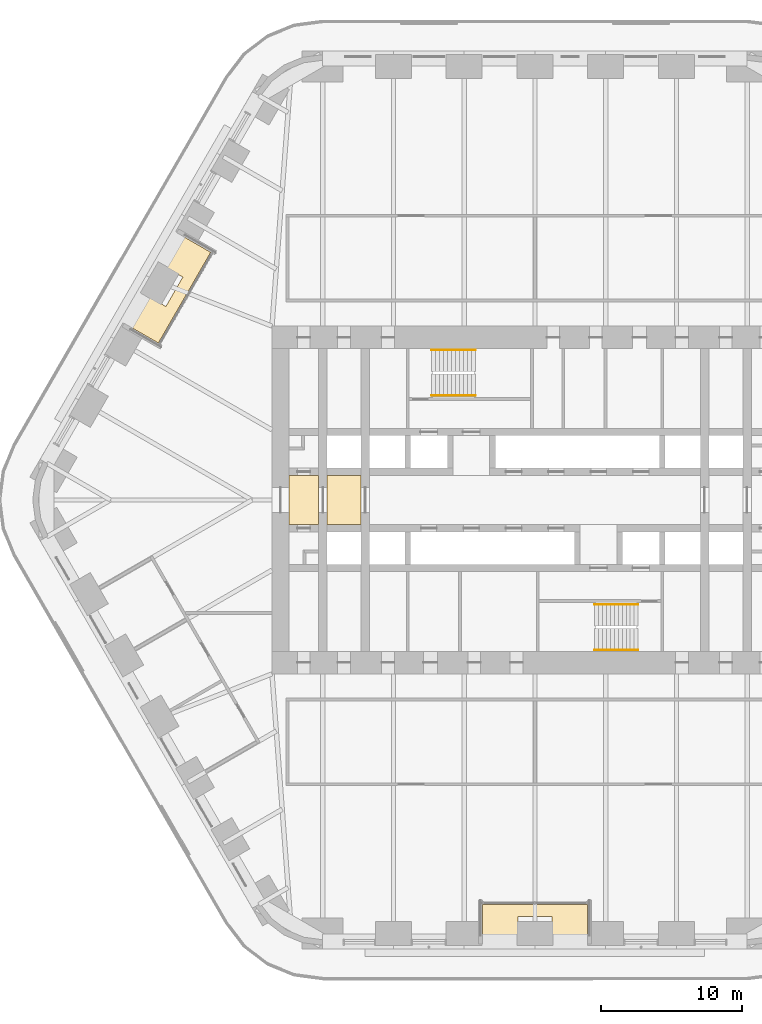
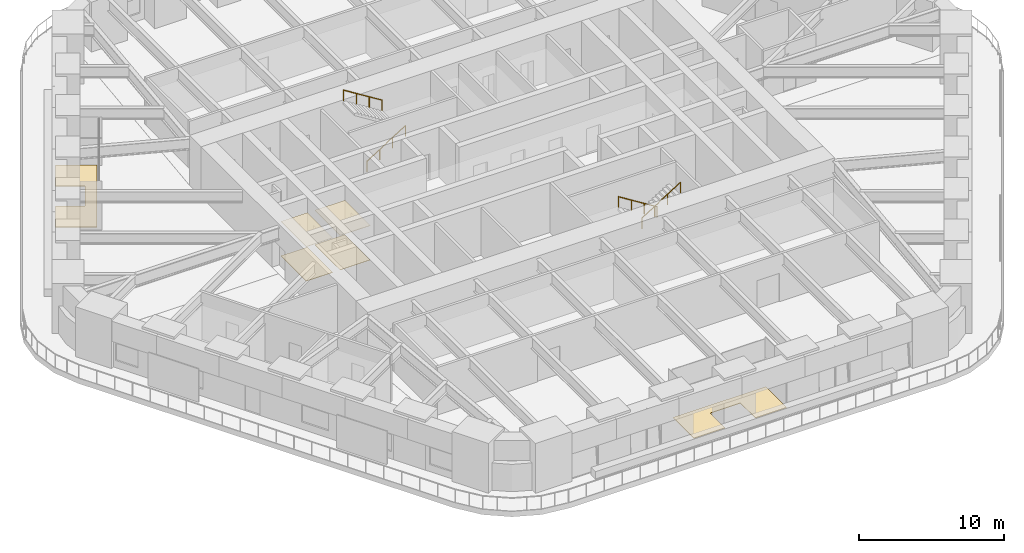
# One storey, part 22 of 24: 6 coverings, 4 railings.
"""IFC4 building model written with IfcOpenShell, lengths in metres."""

from ifc_helpers import new_model, si_unit, direction, frame, origin, origin_2d, place, context, subcontext, project, spatial, polyline, circle, outline, extrude, material, layer, layer_set, type_object, element, save


model = new_model("IFC4")

# Units and contexts
model_context = context("Model", 3, precision=1e-05, world=origin(), true_north=direction((0.0, 1.0)))
body_context = subcontext(model_context, "Body", "Model", "MODEL_VIEW")
ifc_project = project(units=[si_unit("LENGTHUNIT", "METRE"), si_unit("AREAUNIT", "SQUARE_METRE"), si_unit("VOLUMEUNIT", "CUBIC_METRE"), si_unit("PLANEANGLEUNIT", "RADIAN"), si_unit("MASSUNIT", "GRAM", prefix="KILO")], contexts=[model_context])

# Site, building, storey
site_placement = place(None, origin())
site = spatial("IfcSite", under=ifc_project, at=site_placement, CompositionType="ELEMENT")
building_placement = place(site_placement, origin())
building = spatial("IfcBuilding", under=site, at=building_placement, Name="Tarfa Lantern Tower", CompositionType="ELEMENT")
storey_placement = place(building_placement, frame((0.0, 0.0, 119.5)))
storey = spatial("IfcBuildingStorey", under=building, at=storey_placement, Name="L26", CompositionType="ELEMENT", Elevation=119.5)

# Coverings
ifc_material_1 = material(Name="Powder-coated aluminium panel", Category="aluminium")
ifc_layer_1 = layer(ifc_material_1, 0.030029296875)
ifc_layer_set_1 = layer_set([ifc_layer_1], Name="CL3 METAL PANEL CEILING 30")
covering_type_1 = type_object("IfcCoveringType", Name="CL3 METAL PANEL CEILING 30", PredefinedType="CEILING", material=ifc_layer_set_1)
covering_1_placement = place(storey_placement, frame((0.0, 0.0, 2.89990234375)))
element("IfcCovering", 1, at=covering_1_placement, inside=storey, type_object=covering_type_1, Name="Ceiling L26-01", PredefinedType="CEILING", context=body_context, shape_type="SweptSolid", body=[
    extrude(outline(polyline([(-17.39990234375, -1.75), (-15.300048828125, -1.75), (-15.300048828125, 1.75), (-17.39990234375, 1.75), (-17.39990234375, -1.75)])), origin(), (0.0, 0.0, 1.0), 0.030029296875),
])
covering_2_placement = place(storey_placement, frame((0.0, 0.0, 2.89990234375)))
element("IfcCovering", 2, at=covering_2_placement, inside=storey, type_object=covering_type_1, Name="Ceiling L26-02", PredefinedType="CEILING", context=body_context, shape_type="SweptSolid", body=[
    extrude(outline(polyline([(-14.699951171875, -1.75), (-12.300048828125, -1.75), (-12.300048828125, 1.75), (-14.699951171875, 1.75), (-14.699951171875, -1.75)])), origin(), (0.0, 0.0, 1.0), 0.030029296875),
])
ifc_material_2 = material(Name="Honed limestone flooring", Category="masonry")
ifc_layer_2 = layer(ifc_material_2, 0.030029296875)
ifc_layer_set_2 = layer_set([ifc_layer_2], Name="FL2 STONE FLOORING 30")
covering_type_2 = type_object("IfcCoveringType", Name="FL2 STONE FLOORING 30", PredefinedType="FLOORING", material=ifc_layer_set_2)
covering_3_placement = place(storey_placement, origin())
element("IfcCovering", 3, at=covering_3_placement, inside=storey, type_object=covering_type_2, Name="Floor finish L26-01", PredefinedType="FLOORING", context=body_context, shape_type="SweptSolid", body=[
    extrude(outline(polyline([(-17.39990234375, -1.75), (-15.300048828125, -1.75), (-15.300048828125, 1.75), (-17.39990234375, 1.75), (-17.39990234375, -1.75)])), origin(), (0.0, 0.0, 1.0), 0.030029296875),
])
covering_4_placement = place(storey_placement, origin())
element("IfcCovering", 4, at=covering_4_placement, inside=storey, type_object=covering_type_2, Name="Floor finish L26-02", PredefinedType="FLOORING", context=body_context, shape_type="SweptSolid", body=[
    extrude(outline(polyline([(-14.699951171875, -1.75), (-12.300048828125, -1.75), (-12.300048828125, 1.75), (-14.699951171875, 1.75), (-14.699951171875, -1.75)])), origin(), (0.0, 0.0, 1.0), 0.030029296875),
])

# Railings
ifc_material_3 = material(Name="Stainless steel", Category="steel")
railing_type = type_object("IfcRailingType", Name="HR1 HANDRAIL 900", PredefinedType="HANDRAIL", material=ifc_material_3)
railing_1_placement = place(storey_placement, frame((-7.300048828125, 7.3798828125, 0.175048828125)))
element("IfcRailing", 5, at=railing_1_placement, inside=storey, type_object=railing_type, Name="Handrail 1", PredefinedType="HANDRAIL", context=body_context, shape_type="SweptSolid", body=[
    extrude(circle(Radius=0.02392578125, at=origin_2d()), frame((0.0, 0.0, 0.8759765625), z_axis=(0.847998304005, 0.0, 0.529998940003), x_axis=(0.0, 1.0, 0.0)), (0.0, 0.0, 1.0), 3.632080078125),
    extrude(circle(Radius=0.02099609375, at=origin_2d()), frame((0.0, 0.0, 0.0), z_axis=(0.0, 0.0, 1.0), x_axis=(0.0, 1.0, 0.0)), (0.0, 0.0, 1.0), 0.851806640625),
    extrude(circle(Radius=0.02099609375, at=origin_2d()), frame((1.026611328125, 0.0, 0.6416015625), z_axis=(0.0, 0.0, 1.0), x_axis=(0.0, 1.0, 0.0)), (0.0, 0.0, 1.0), 0.851806640625),
    extrude(circle(Radius=0.02099609375, at=origin_2d()), frame((2.053466796875, 0.0, 1.283447265625), z_axis=(0.0, 0.0, 1.0), x_axis=(0.0, 1.0, 0.0)), (0.0, 0.0, 1.0), 0.851806640625),
    extrude(circle(Radius=0.02099609375, at=origin_2d()), frame((3.080078125, 0.0, 1.925048828125), z_axis=(0.0, 0.0, 1.0), x_axis=(0.0, 1.0, 0.0)), (0.0, 0.0, 1.0), 0.851806640625),
])
for number, where, name in (
    (6, (-4.219970703125, 10.6201171875, 2.27490234375), "Handrail 2"),
    (7, (7.300048828125, -7.3798828125, 0.175048828125), "Handrail 1"),
):
    element("IfcRailing", number, at=place(storey_placement, frame(where)), inside=storey, type_object=railing_type, Name=name, PredefinedType="HANDRAIL", context=body_context, shape_type="SweptSolid", body=[
        extrude(circle(Radius=0.02392578125, at=origin_2d()), frame((0.0, 0.0, 0.8759765625), z_axis=(-0.847998304005, 0.0, 0.529998940003), x_axis=(0.0, -1.0, 0.0)), (0.0, 0.0, 1.0), 3.632080078125),
        extrude(circle(Radius=0.02099609375, at=origin_2d()), frame((0.0, 0.0, 0.0), z_axis=(0.0, 0.0, 1.0), x_axis=(0.0, -1.0, 0.0)), (0.0, 0.0, 1.0), 0.851806640625),
        extrude(circle(Radius=0.02099609375, at=origin_2d()), frame((-1.026611328125, 0.0, 0.6416015625), z_axis=(0.0, 0.0, 1.0), x_axis=(0.0, -1.0, 0.0)), (0.0, 0.0, 1.0), 0.851806640625),
        extrude(circle(Radius=0.02099609375, at=origin_2d()), frame((-2.053466796875, 0.0, 1.283447265625), z_axis=(0.0, 0.0, 1.0), x_axis=(0.0, -1.0, 0.0)), (0.0, 0.0, 1.0), 0.851806640625),
        extrude(circle(Radius=0.02099609375, at=origin_2d()), frame((-3.080078125, 0.0, 1.925048828125), z_axis=(0.0, 0.0, 1.0), x_axis=(0.0, -1.0, 0.0)), (0.0, 0.0, 1.0), 0.851806640625),
    ])
railing_2_placement = place(storey_placement, frame((4.219970703125, -10.6201171875, 2.27490234375)))
element("IfcRailing", 8, at=railing_2_placement, inside=storey, type_object=railing_type, Name="Handrail 2", PredefinedType="HANDRAIL", context=body_context, shape_type="SweptSolid", body=[
    extrude(circle(Radius=0.02392578125, at=origin_2d()), frame((0.0, 0.0, 0.8759765625), z_axis=(0.847998304005, 0.0, 0.529998940003), x_axis=(0.0, 1.0, 0.0)), (0.0, 0.0, 1.0), 3.632080078125),
    extrude(circle(Radius=0.02099609375, at=origin_2d()), frame((0.0, 0.0, 0.0), z_axis=(0.0, 0.0, 1.0), x_axis=(0.0, 1.0, 0.0)), (0.0, 0.0, 1.0), 0.851806640625),
    extrude(circle(Radius=0.02099609375, at=origin_2d()), frame((1.026611328125, 0.0, 0.6416015625), z_axis=(0.0, 0.0, 1.0), x_axis=(0.0, 1.0, 0.0)), (0.0, 0.0, 1.0), 0.851806640625),
    extrude(circle(Radius=0.02099609375, at=origin_2d()), frame((2.053466796875, 0.0, 1.283447265625), z_axis=(0.0, 0.0, 1.0), x_axis=(0.0, 1.0, 0.0)), (0.0, 0.0, 1.0), 0.851806640625),
    extrude(circle(Radius=0.02099609375, at=origin_2d()), frame((3.080078125, 0.0, 1.925048828125), z_axis=(0.0, 0.0, 1.0), x_axis=(0.0, 1.0, 0.0)), (0.0, 0.0, 1.0), 0.851806640625),
])

# Coverings
ifc_material_4 = material(Name="Porcelain pavers on pedestals", Category="ceramic")
ifc_layer_3 = layer(ifc_material_4, 0.0400390625)
ifc_layer_set_3 = layer_set([ifc_layer_3], Name="LP1 LOGGIA PAVING 40")
covering_type_3 = type_object("IfcCoveringType", Name="LP1 LOGGIA PAVING 40", PredefinedType="FLOORING", material=ifc_layer_set_3)
covering_5_placement = place(storey_placement, origin())
element("IfcCovering", 9, at=covering_5_placement, inside=storey, type_object=covering_type_3, Name="Loggia paving NW", PredefinedType="FLOORING", context=body_context, shape_type="SweptSolid", body=[
    extrude(outline(polyline([(-25.427978515625, 18.95751953125), (-22.933837890625, 17.517578125), (-26.637451171875, 11.1025390625), (-29.131591796875, 12.54248046875), (-27.8798828125, 14.710693359375), (-26.1044921875, 13.685791015625), (-24.904541015625, 15.76416015625), (-26.6796875, 16.789306640625), (-25.427978515625, 18.95751953125)])), origin(), (0.0, 0.0, 1.0), 0.0400390625),
])
covering_6_placement = place(storey_placement, origin())
element("IfcCovering", 10, at=covering_6_placement, inside=storey, type_object=covering_type_3, Name="Loggia paving S", PredefinedType="FLOORING", context=body_context, shape_type="SweptSolid", body=[
    extrude(outline(polyline([(-3.70361328125, -31.5), (-3.70361328125, -28.6201171875), (3.70361328125, -28.6201171875), (3.70361328125, -31.5), (1.199951171875, -31.5), (1.199951171875, -29.449951171875), (-1.199951171875, -29.449951171875), (-1.199951171875, -31.5), (-3.70361328125, -31.5)])), origin(), (0.0, 0.0, 1.0), 0.0400390625),
])

save(model, "model.ifc")
